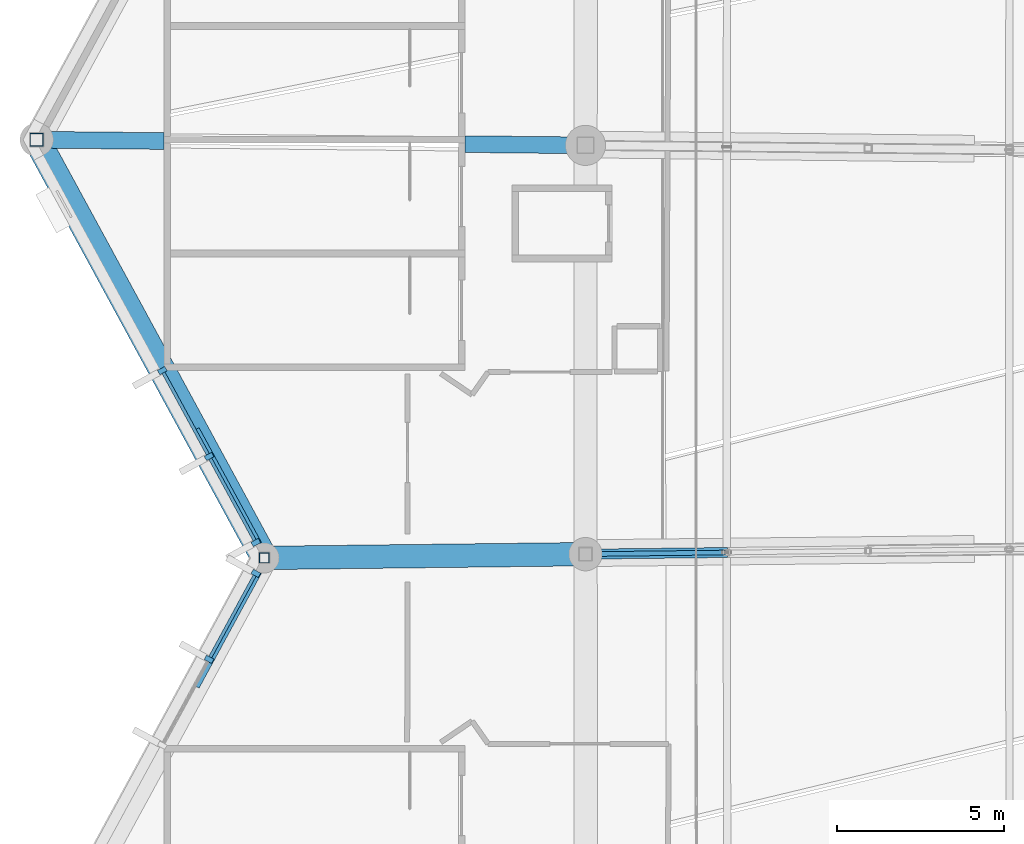
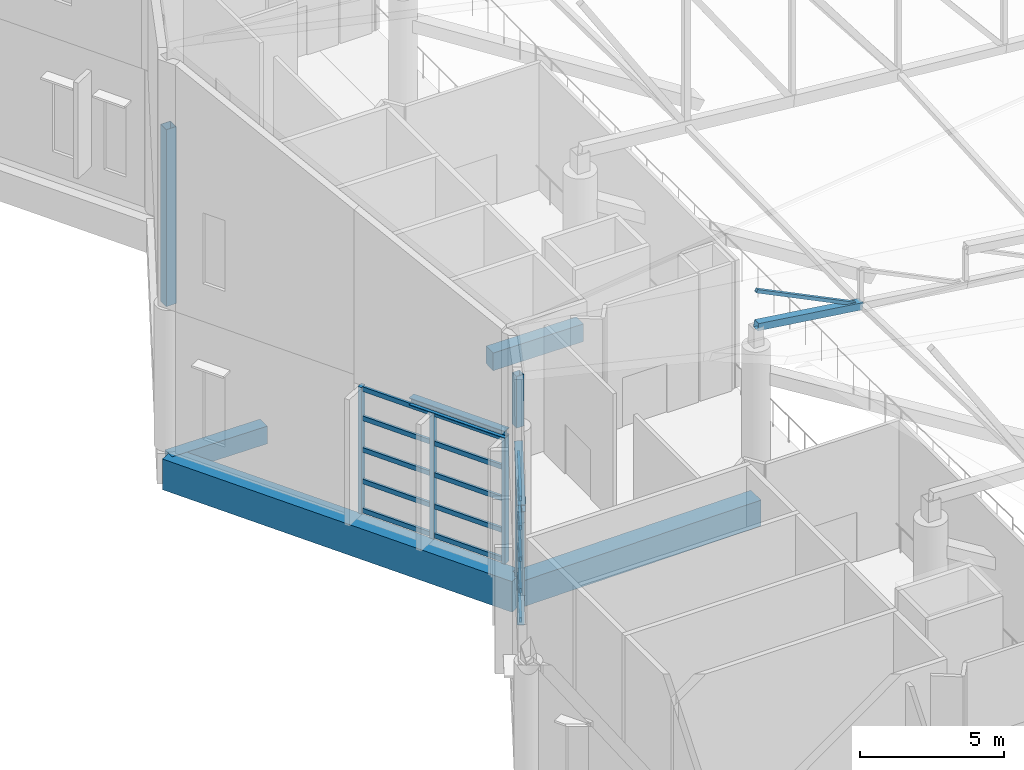
# One storey, part 58 of 344: 24 members, 6 beams, 2 elements without a shape of their own.
"""IFC4 building model written with IfcOpenShell, lengths in metres."""

from ifc_helpers import new_model, si_unit, direction, frame, origin, origin_2d, place, context, subcontext, project, spatial, rectangle, hollow_rectangle, i_section, extrude, material, layer, layer_set, material_profile, profile_set, type_object, element, aggregate, save


model = new_model("IFC4")

# Units and contexts
model_context = context("Model", 3, precision=1e-05, world=origin(), true_north=direction((0.0, 1.0)))
body_context = subcontext(model_context, "Body", "Model", "MODEL_VIEW")
ifc_project = project(units=[si_unit("LENGTHUNIT", "METRE"), si_unit("AREAUNIT", "SQUARE_METRE"), si_unit("VOLUMEUNIT", "CUBIC_METRE"), si_unit("PLANEANGLEUNIT", "RADIAN"), si_unit("MASSUNIT", "GRAM", prefix="KILO")], contexts=[model_context])

# Site, building, storey
site_placement = place(None, origin())
site = spatial("IfcSite", under=ifc_project, at=site_placement, CompositionType="ELEMENT")
building_placement = place(site_placement, origin())
building = spatial("IfcBuilding", under=site, at=building_placement, Name="Meseta Stadium", CompositionType="ELEMENT")
storey_placement = place(building_placement, frame((0.0, 0.0, 24.0)))
storey = spatial("IfcBuildingStorey", under=building, at=storey_placement, Name="L04", CompositionType="ELEMENT", Elevation=24.0)

# Beams
ifc_material_1 = material(Name="Steel S355", Category="steel")
ifc_material_profile_1 = material_profile(ifc_material_1, i_section(OverallWidth=0.300048828125, OverallDepth=0.300048828125, WebThickness=0.010986328125, FlangeThickness=0.01904296875, FilletRadius=0.027099609375, at=origin_2d()), Name="HEB 300")
ifc_profile_set_1 = profile_set([ifc_material_profile_1], Name="Steel S355")
beam_type_1 = type_object("IfcBeamType", Name="Atrium lintel beam HEB 300", PredefinedType="BEAM", material=ifc_profile_set_1)
for number, where, z_axis, x_axis, name in (
    (1, (-94.81494140625, -5.854736328125, 5.5), (-0.47789568686, 0.878416593924, 0.0), (-0.878416593924, -0.47789568686, 0.0), "Atrium lintel beam F32"),
    (2, (-94.81494140625, -6.645263671875, 5.5), (-0.47789568686, -0.878416593924, 0.0), (0.878416593924, -0.47789568686, 0.0), "Atrium lintel beam F33"),
):
    element("IfcBeam", number, at=place(storey_placement, frame(where, z_axis=z_axis, x_axis=x_axis)), inside=storey, type_object=beam_type_1, Name=name, PredefinedType="BEAM", context=body_context, shape_type="SweptSolid", body=[
        extrude(i_section(OverallWidth=0.300048828125, OverallDepth=0.300048828125, WebThickness=0.010986328125, FlangeThickness=0.01904296875, FilletRadius=0.027099609375, at=origin_2d()), origin(), (0.0, 0.0, 1.0), 3.89990234375),
    ])

# Curtain wall, members
ifc_material_2 = material(Name="Steel S355", Category="steel")
ifc_layer = layer(ifc_material_2, 0.300048828125)
ifc_layer_set = layer_set([ifc_layer], Name="Valley atrium curtain wall")
curtain_wall_type = type_object("IfcCurtainWallType", Name="Valley atrium curtain wall", PredefinedType="NOTDEFINED", material=ifc_layer_set)
curtain_wall_1_placement = place(storey_placement, origin())
curtain_wall_1 = element("IfcCurtainWall", 3, at=curtain_wall_1_placement, inside=storey, type_object=curtain_wall_type, Name="Valley atrium glazing F32", PredefinedType="NOTDEFINED")
ifc_material_3 = material(Name="Steel S355", Category="steel")
ifc_material_profile_2 = material_profile(ifc_material_3, rectangle(XDim=0.25, YDim=0.14990234375, at=origin_2d()), Name="CW 250x150")
ifc_profile_set_2 = profile_set([ifc_material_profile_2], Name="Steel S355")
member_type_1 = type_object("IfcMemberType", Name="CW mullion bar 250x150", PredefinedType="MULLION", material=ifc_profile_set_2)
member_1_placement = place(storey_placement, frame((-97.646240234375, -0.650146484375, 0.0), z_axis=(0.0, 0.0, 1.0), x_axis=(0.8784321511, 0.477867090218, 0.0)))
member_1 = element("IfcMember", 4, at=member_1_placement, type_object=member_type_1, Name="CWA mullion 1", PredefinedType="MULLION", context=body_context, shape_type="SweptSolid", body=[
    extrude(rectangle(XDim=0.25, YDim=0.14990234375, at=origin_2d()), origin(), (0.0, 0.0, 1.0), 5.35009765625),
])
member_2_placement = place(storey_placement, frame((-96.24853515625, -3.219482421875, 0.0), z_axis=(0.0, 0.0, 1.0), x_axis=(0.8784321511, 0.477867090218, 0.0)))
member_2 = element("IfcMember", 5, at=member_2_placement, type_object=member_type_1, Name="CWA mullion 2", PredefinedType="MULLION", context=body_context, shape_type="SweptSolid", body=[
    extrude(rectangle(XDim=0.25, YDim=0.14990234375, at=origin_2d()), origin(), (0.0, 0.0, 1.0), 5.35009765625),
])
member_3_placement = place(storey_placement, frame((-94.850830078125, -5.7890625, 0.0), z_axis=(0.0, 0.0, 1.0), x_axis=(0.8784321511, 0.477867090218, 0.0)))
member_3 = element("IfcMember", 6, at=member_3_placement, type_object=member_type_1, Name="CWA mullion 3", PredefinedType="MULLION", context=body_context, shape_type="SweptSolid", body=[
    extrude(rectangle(XDim=0.25, YDim=0.14990234375, at=origin_2d()), origin(), (0.0, 0.0, 1.0), 5.35009765625),
])

curtain_wall_2_placement = place(storey_placement, origin())
curtain_wall_2 = element("IfcCurtainWall", 7, at=curtain_wall_2_placement, inside=storey, type_object=curtain_wall_type, Name="Valley atrium glazing F33", PredefinedType="NOTDEFINED")
member_4_placement = place(storey_placement, frame((-94.850830078125, -6.7109375, 0.0), z_axis=(0.0, 0.0, 1.0), x_axis=(0.8784321511, -0.477867090218, 0.0)))
member_4 = element("IfcMember", 8, at=member_4_placement, type_object=member_type_1, Name="CWA mullion 1", PredefinedType="MULLION", context=body_context, shape_type="SweptSolid", body=[
    extrude(rectangle(XDim=0.25, YDim=0.14990234375, at=origin_2d()), origin(), (0.0, 0.0, 1.0), 5.35009765625),
])
member_5_placement = place(storey_placement, frame((-96.24853515625, -9.280517578125, 0.0), z_axis=(0.0, 0.0, 1.0), x_axis=(0.8784321511, -0.477867090218, 0.0)))
member_5 = element("IfcMember", 9, at=member_5_placement, type_object=member_type_1, Name="CWA mullion 2", PredefinedType="MULLION", context=body_context, shape_type="SweptSolid", body=[
    extrude(rectangle(XDim=0.25, YDim=0.14990234375, at=origin_2d()), origin(), (0.0, 0.0, 1.0), 5.35009765625),
])

# Member
ifc_material_4 = material(Name="Steel S355", Category="steel")
ifc_material_profile_3 = material_profile(ifc_material_4, hollow_rectangle(XDim=0.10009765625, YDim=0.199951171875, WallThickness=0.008056640625, at=origin_2d()), Name="RHS 200x100x8")
ifc_profile_set_3 = profile_set([ifc_material_profile_3], Name="Steel S355")
member_type_2 = type_object("IfcMemberType", Name="CW transom RHS 200x100x8", PredefinedType="USERDEFINED", material=ifc_profile_set_3)
member_6_placement = place(storey_placement, frame((-97.610595703125, -0.716064453125, 0.10009765625), z_axis=(0.477914884213, -0.878406149482, 0.0), x_axis=(0.878406149482, 0.477914884213, 0.0)))
member_6 = element("IfcMember", 10, at=member_6_placement, type_object=member_type_2, Name="CWA transom 1.1", ObjectType="TRANSOM", PredefinedType="USERDEFINED", context=body_context, shape_type="SweptSolid", body=[
    extrude(hollow_rectangle(XDim=0.10009765625, YDim=0.199951171875, WallThickness=0.008056640625, at=origin_2d()), origin(), (0.0, 0.0, 1.0), 2.77490234375),
])

member_7_placement = place(storey_placement, frame((-97.610595703125, -0.716064453125, 1.33740234375), z_axis=(0.477914884213, -0.878406149482, 0.0), x_axis=(0.878406149482, 0.477914884213, 0.0)))
member_7 = element("IfcMember", 11, at=member_7_placement, type_object=member_type_2, Name="CWA transom 1.2", ObjectType="TRANSOM", PredefinedType="USERDEFINED", context=body_context, shape_type="SweptSolid", body=[
    extrude(hollow_rectangle(XDim=0.10009765625, YDim=0.199951171875, WallThickness=0.008056640625, at=origin_2d()), origin(), (0.0, 0.0, 1.0), 2.77490234375),
])

member_8_placement = place(storey_placement, frame((-97.610595703125, -0.716064453125, 2.675048828125), z_axis=(0.477914884213, -0.878406149482, 0.0), x_axis=(0.878406149482, 0.477914884213, 0.0)))
member_8 = element("IfcMember", 12, at=member_8_placement, type_object=member_type_2, Name="CWA transom 1.3", ObjectType="TRANSOM", PredefinedType="USERDEFINED", context=body_context, shape_type="SweptSolid", body=[
    extrude(hollow_rectangle(XDim=0.10009765625, YDim=0.199951171875, WallThickness=0.008056640625, at=origin_2d()), origin(), (0.0, 0.0, 1.0), 2.77490234375),
])

member_9_placement = place(storey_placement, frame((-97.610595703125, -0.716064453125, 4.012451171875), z_axis=(0.477914884213, -0.878406149482, 0.0), x_axis=(0.878406149482, 0.477914884213, 0.0)))
member_9 = element("IfcMember", 13, at=member_9_placement, type_object=member_type_2, Name="CWA transom 1.4", ObjectType="TRANSOM", PredefinedType="USERDEFINED", context=body_context, shape_type="SweptSolid", body=[
    extrude(hollow_rectangle(XDim=0.10009765625, YDim=0.199951171875, WallThickness=0.008056640625, at=origin_2d()), origin(), (0.0, 0.0, 1.0), 2.77490234375),
])

member_10_placement = place(storey_placement, frame((-97.610595703125, -0.716064453125, 5.25), z_axis=(0.477914884213, -0.878406149482, 0.0), x_axis=(0.878406149482, 0.477914884213, 0.0)))
member_10 = element("IfcMember", 14, at=member_10_placement, type_object=member_type_2, Name="CWA transom 1.5", ObjectType="TRANSOM", PredefinedType="USERDEFINED", context=body_context, shape_type="SweptSolid", body=[
    extrude(hollow_rectangle(XDim=0.10009765625, YDim=0.199951171875, WallThickness=0.008056640625, at=origin_2d()), origin(), (0.0, 0.0, 1.0), 2.77490234375),
])

member_11_placement = place(storey_placement, frame((-96.212646484375, -3.285400390625, 0.10009765625), z_axis=(0.477810063418, -0.878463171281, 0.0), x_axis=(0.878463171281, 0.477810063418, 0.0)))
member_11 = element("IfcMember", 15, at=member_11_placement, type_object=member_type_2, Name="CWA transom 2.1", ObjectType="TRANSOM", PredefinedType="USERDEFINED", context=body_context, shape_type="SweptSolid", body=[
    extrude(hollow_rectangle(XDim=0.10009765625, YDim=0.199951171875, WallThickness=0.008056640625, at=origin_2d()), origin(), (0.0, 0.0, 1.0), 2.77490234375),
])

member_12_placement = place(storey_placement, frame((-96.212646484375, -3.285400390625, 1.33740234375), z_axis=(0.477810063418, -0.878463171281, 0.0), x_axis=(0.878463171281, 0.477810063418, 0.0)))
member_12 = element("IfcMember", 16, at=member_12_placement, type_object=member_type_2, Name="CWA transom 2.2", ObjectType="TRANSOM", PredefinedType="USERDEFINED", context=body_context, shape_type="SweptSolid", body=[
    extrude(hollow_rectangle(XDim=0.10009765625, YDim=0.199951171875, WallThickness=0.008056640625, at=origin_2d()), origin(), (0.0, 0.0, 1.0), 2.77490234375),
])

member_13_placement = place(storey_placement, frame((-96.212646484375, -3.285400390625, 2.675048828125), z_axis=(0.477810063418, -0.878463171281, 0.0), x_axis=(0.878463171281, 0.477810063418, 0.0)))
member_13 = element("IfcMember", 17, at=member_13_placement, type_object=member_type_2, Name="CWA transom 2.3", ObjectType="TRANSOM", PredefinedType="USERDEFINED", context=body_context, shape_type="SweptSolid", body=[
    extrude(hollow_rectangle(XDim=0.10009765625, YDim=0.199951171875, WallThickness=0.008056640625, at=origin_2d()), origin(), (0.0, 0.0, 1.0), 2.77490234375),
])

member_14_placement = place(storey_placement, frame((-96.212646484375, -3.285400390625, 4.012451171875), z_axis=(0.477810063418, -0.878463171281, 0.0), x_axis=(0.878463171281, 0.477810063418, 0.0)))
member_14 = element("IfcMember", 18, at=member_14_placement, type_object=member_type_2, Name="CWA transom 2.4", ObjectType="TRANSOM", PredefinedType="USERDEFINED", context=body_context, shape_type="SweptSolid", body=[
    extrude(hollow_rectangle(XDim=0.10009765625, YDim=0.199951171875, WallThickness=0.008056640625, at=origin_2d()), origin(), (0.0, 0.0, 1.0), 2.77490234375),
])

member_15_placement = place(storey_placement, frame((-96.212646484375, -3.285400390625, 5.25), z_axis=(0.477810063418, -0.878463171281, 0.0), x_axis=(0.878463171281, 0.477810063418, 0.0)))
member_15 = element("IfcMember", 19, at=member_15_placement, type_object=member_type_2, Name="CWA transom 2.5", ObjectType="TRANSOM", PredefinedType="USERDEFINED", context=body_context, shape_type="SweptSolid", body=[
    extrude(hollow_rectangle(XDim=0.10009765625, YDim=0.199951171875, WallThickness=0.008056640625, at=origin_2d()), origin(), (0.0, 0.0, 1.0), 2.77490234375),
])

aggregate(curtain_wall_1, [member_1, member_2, member_3, member_6, member_7, member_8, member_9, member_10, member_11, member_12, member_13, member_14, member_15])

member_16_placement = place(storey_placement, frame((-94.88671875, -6.77685546875, 0.10009765625), z_axis=(-0.477810063418, -0.878463171281, 0.0), x_axis=(0.878463171281, -0.477810063418, 0.0)))
member_16 = element("IfcMember", 20, at=member_16_placement, type_object=member_type_2, Name="CWA transom 1.1", ObjectType="TRANSOM", PredefinedType="USERDEFINED", context=body_context, shape_type="SweptSolid", body=[
    extrude(hollow_rectangle(XDim=0.10009765625, YDim=0.199951171875, WallThickness=0.008056640625, at=origin_2d()), origin(), (0.0, 0.0, 1.0), 2.77490234375),
])

member_17_placement = place(storey_placement, frame((-94.88671875, -6.77685546875, 1.33740234375), z_axis=(-0.477810063418, -0.878463171281, 0.0), x_axis=(0.878463171281, -0.477810063418, 0.0)))
member_17 = element("IfcMember", 21, at=member_17_placement, type_object=member_type_2, Name="CWA transom 1.2", ObjectType="TRANSOM", PredefinedType="USERDEFINED", context=body_context, shape_type="SweptSolid", body=[
    extrude(hollow_rectangle(XDim=0.10009765625, YDim=0.199951171875, WallThickness=0.008056640625, at=origin_2d()), origin(), (0.0, 0.0, 1.0), 2.77490234375),
])

member_18_placement = place(storey_placement, frame((-94.88671875, -6.77685546875, 2.675048828125), z_axis=(-0.477810063418, -0.878463171281, 0.0), x_axis=(0.878463171281, -0.477810063418, 0.0)))
member_18 = element("IfcMember", 22, at=member_18_placement, type_object=member_type_2, Name="CWA transom 1.3", ObjectType="TRANSOM", PredefinedType="USERDEFINED", context=body_context, shape_type="SweptSolid", body=[
    extrude(hollow_rectangle(XDim=0.10009765625, YDim=0.199951171875, WallThickness=0.008056640625, at=origin_2d()), origin(), (0.0, 0.0, 1.0), 2.77490234375),
])

member_19_placement = place(storey_placement, frame((-94.88671875, -6.77685546875, 4.012451171875), z_axis=(-0.477810063418, -0.878463171281, 0.0), x_axis=(0.878463171281, -0.477810063418, 0.0)))
member_19 = element("IfcMember", 23, at=member_19_placement, type_object=member_type_2, Name="CWA transom 1.4", ObjectType="TRANSOM", PredefinedType="USERDEFINED", context=body_context, shape_type="SweptSolid", body=[
    extrude(hollow_rectangle(XDim=0.10009765625, YDim=0.199951171875, WallThickness=0.008056640625, at=origin_2d()), origin(), (0.0, 0.0, 1.0), 2.77490234375),
])

member_20_placement = place(storey_placement, frame((-94.88671875, -6.77685546875, 5.25), z_axis=(-0.477810063418, -0.878463171281, 0.0), x_axis=(0.878463171281, -0.477810063418, 0.0)))
member_20 = element("IfcMember", 24, at=member_20_placement, type_object=member_type_2, Name="CWA transom 1.5", ObjectType="TRANSOM", PredefinedType="USERDEFINED", context=body_context, shape_type="SweptSolid", body=[
    extrude(hollow_rectangle(XDim=0.10009765625, YDim=0.199951171875, WallThickness=0.008056640625, at=origin_2d()), origin(), (0.0, 0.0, 1.0), 2.77490234375),
])

aggregate(curtain_wall_2, [member_4, member_5, member_16, member_17, member_18, member_19, member_20])

# Beams
ifc_material_5 = material(Name="Concrete C40/50", Category="concrete")
ifc_material_profile_4 = material_profile(ifc_material_5, rectangle(XDim=0.5, YDim=0.75, at=origin_2d()), Name="RC 500x750")
ifc_profile_set_4 = profile_set([ifc_material_profile_4], Name="Concrete C40/50")
beam_type_2 = type_object("IfcBeamType", Name="RC beam 500x750", PredefinedType="BEAM", material=ifc_profile_set_4)
beam_1_placement = place(storey_placement, frame((-84.99755859375, 6.081298828125, -0.77490234375), z_axis=(-0.999946950007, 0.010300348089, 0.0), x_axis=(-0.010300348089, -0.999946950007, 0.0)))
element("IfcBeam", 25, at=beam_1_placement, inside=storey, type_object=beam_type_2, Name="L04 radial beam frame 32 line P to R", PredefinedType="BEAM", context=body_context, shape_type="SweptSolid", body=[
    extrude(rectangle(XDim=0.5, YDim=0.75, at=origin_2d()), origin(), (0.0, 0.0, 1.0), 3.602783203125),
])
beam_2_placement = place(storey_placement, frame((-97.60009765625, 6.2109375, -0.77490234375), z_axis=(-0.999947163614, 0.010279590477, 0.0), x_axis=(-0.010279590477, -0.999947163614, 0.0)))
element("IfcBeam", 26, at=beam_2_placement, inside=storey, type_object=beam_type_2, Name="L04 radial beam frame 32 line P to R", PredefinedType="BEAM", context=body_context, shape_type="SweptSolid", body=[
    extrude(rectangle(XDim=0.5, YDim=0.75, at=origin_2d()), origin(), (0.0, 0.0, 1.0), 3.800048828125),
])
ifc_material_6 = material(Name="Concrete C40/50", Category="concrete")
ifc_material_profile_5 = material_profile(ifc_material_6, rectangle(XDim=0.699951171875, YDim=1.10009765625, at=origin_2d()), Name="RC 700x1100")
ifc_profile_set_5 = profile_set([ifc_material_profile_5], Name="Concrete C40/50")
beam_type_3 = type_object("IfcBeamType", Name="RC beam 700x1100", PredefinedType="BEAM", material=ifc_profile_set_5)
beam_3_placement = place(storey_placement, frame((-84.9970703125, -6.13720703125, -0.949951171875), z_axis=(-0.999931028004, -0.01174475352, 0.0), x_axis=(0.01174475352, -0.999931028004, 0.0)))
element("IfcBeam", 27, at=beam_3_placement, inside=storey, type_object=beam_type_3, Name="L04 radial beam frame 33 line P to R", PredefinedType="BEAM", context=body_context, shape_type="SweptSolid", body=[
    extrude(rectangle(XDim=0.699951171875, YDim=1.10009765625, at=origin_2d()), origin(), (0.0, 0.0, 1.0), 9.603759765625),
])
ifc_material_7 = material(Name="Concrete C40/50", Category="concrete")
ifc_material_profile_6 = material_profile(ifc_material_7, rectangle(XDim=0.800048828125, YDim=1.300048828125, at=origin_2d()), Name="RC 800x1300")
ifc_profile_set_6 = profile_set([ifc_material_profile_6], Name="Concrete C40/50")
beam_type_4 = type_object("IfcBeamType", Name="RC beam 800x1300", PredefinedType="BEAM", material=ifc_profile_set_6)
beam_4_placement = place(storey_placement, frame((-101.39990234375, 6.25, -1.050048828125), z_axis=(0.47785649891, -0.878437912689, 0.0), x_axis=(0.878437912689, 0.47785649891, 0.0)))
element("IfcBeam", 28, at=beam_4_placement, inside=storey, type_object=beam_type_4, Name="L04 ring beam frame 32 line R", PredefinedType="BEAM", context=body_context, shape_type="SweptSolid", body=[
    extrude(rectangle(XDim=0.800048828125, YDim=1.300048828125, at=origin_2d()), origin(), (0.0, 0.0, 1.0), 14.229736328125),
])

# Members
ifc_material_8 = material(Name="Steel S355", Category="steel")
ifc_material_profile_7 = material_profile(ifc_material_8, hollow_rectangle(XDim=0.139892578125, YDim=0.139892578125, WallThickness=0.0048828125, at=origin_2d()), Name="SHS 140x140x5")
ifc_profile_set_7 = profile_set([ifc_material_profile_7], Name="Steel S355")
member_type_3 = type_object("IfcMemberType", Name="SHS 140x140x5 diagonal", PredefinedType="BRACE", material=ifc_profile_set_7)
member_21_placement = place(storey_placement, frame((-80.775146484375, -6.087646484375, 6.187255859375), z_axis=(-0.896142958309, -0.010519691236, 0.443640771762), x_axis=(0.011738045144, -0.999931106775, 0.0)))
element("IfcMember", 29, at=member_21_placement, inside=storey, type_object=member_type_3, Name="ROOF TRUSS RT-33 diagonal", PredefinedType="BRACE", context=body_context, shape_type="SweptSolid", body=[
    extrude(hollow_rectangle(XDim=0.139892578125, YDim=0.139892578125, WallThickness=0.0048828125, at=origin_2d()), origin(), (0.0, 0.0, 1.0), 4.711181640625),
])
ifc_material_9 = material(Name="Steel S355", Category="steel")
ifc_material_profile_8 = material_profile(ifc_material_9, hollow_rectangle(XDim=0.300048828125, YDim=0.300048828125, WallThickness=0.010009765625, at=origin_2d()), Name="SHS 300x300x10")
ifc_profile_set_8 = profile_set([ifc_material_profile_8], Name="Steel S355")
member_type_4 = type_object("IfcMemberType", Name="SHS 300x300x10 bottom chord", PredefinedType="CHORD", material=ifc_profile_set_8)
member_22_placement = place(storey_placement, frame((-80.775146484375, -6.087646484375, 6.187255859375), z_axis=(-0.989563195146, -0.011616337744, 0.143630579993), x_axis=(0.011738045144, -0.999931106775, 0.0)))
element("IfcMember", 30, at=member_22_placement, inside=storey, type_object=member_type_4, Name="ROOF TRUSS RT-33 bottom chord", PredefinedType="CHORD", context=body_context, shape_type="SweptSolid", body=[
    extrude(hollow_rectangle(XDim=0.300048828125, YDim=0.300048828125, WallThickness=0.010009765625, at=origin_2d()), origin(), (0.0, 0.0, 1.0), 4.266357421875),
])
ifc_material_10 = material(Name="Steel S355", Category="steel")
ifc_material_profile_9 = material_profile(ifc_material_10, hollow_rectangle(XDim=0.300048828125, YDim=0.300048828125, WallThickness=0.010009765625, at=origin_2d()), Name="SHS 300x300x10")
ifc_profile_set_9 = profile_set([ifc_material_profile_9], Name="Steel S355")
member_type_5 = type_object("IfcMemberType", Name="SHS 300x300x10 rim post", PredefinedType="POST", material=ifc_profile_set_9)
member_23_placement = place(storey_placement, frame((-94.60009765625, -6.25, 6.0), z_axis=(0.0, 0.0, 1.0), x_axis=(1.0, 0.0, 0.0)))
element("IfcMember", 31, at=member_23_placement, inside=storey, type_object=member_type_5, Name="ROOF RIM POST RT-33", PredefinedType="POST", context=body_context, shape_type="SweptSolid", body=[
    extrude(hollow_rectangle(XDim=0.300048828125, YDim=0.300048828125, WallThickness=0.010009765625, at=origin_2d()), origin(), (0.0, 0.0, 1.0), 2.19384765625),
])
ifc_material_11 = material(Name="Steel S355", Category="steel")
ifc_material_profile_10 = material_profile(ifc_material_11, hollow_rectangle(XDim=0.39990234375, YDim=0.39990234375, WallThickness=0.01416015625, at=origin_2d()), Name="SHS 400x400x14.2")
ifc_profile_set_10 = profile_set([ifc_material_profile_10], Name="Steel S355")
member_type_6 = type_object("IfcMemberType", Name="SHS 400x400x14.2 rim post", PredefinedType="POST", material=ifc_profile_set_10)
member_24_placement = place(storey_placement, frame((-101.39990234375, 6.25, 6.0), z_axis=(0.0, 0.0, 1.0), x_axis=(1.0, 0.0, 0.0)))
element("IfcMember", 32, at=member_24_placement, inside=storey, type_object=member_type_6, Name="ROOF RIM POST RT-32", PredefinedType="POST", context=body_context, shape_type="SweptSolid", body=[
    extrude(hollow_rectangle(XDim=0.39990234375, YDim=0.39990234375, WallThickness=0.01416015625, at=origin_2d()), origin(), (0.0, 0.0, 1.0), 7.501220703125),
])

save(model, "model.ifc")
